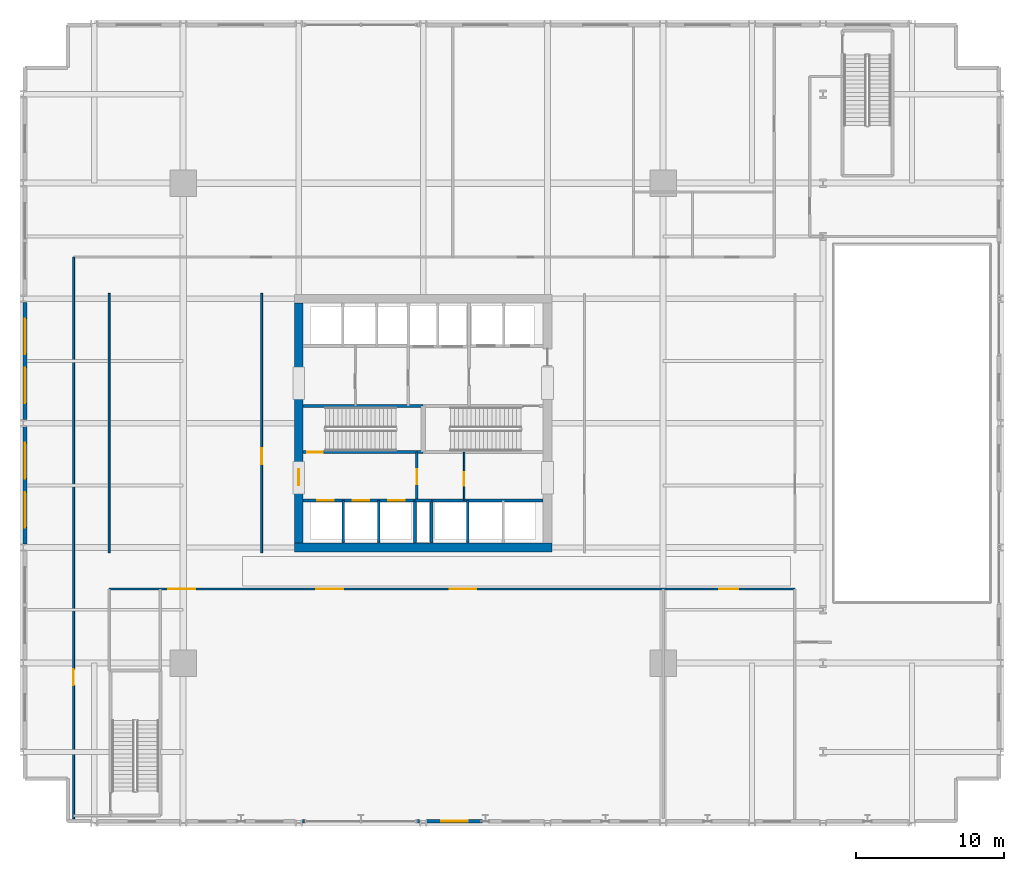
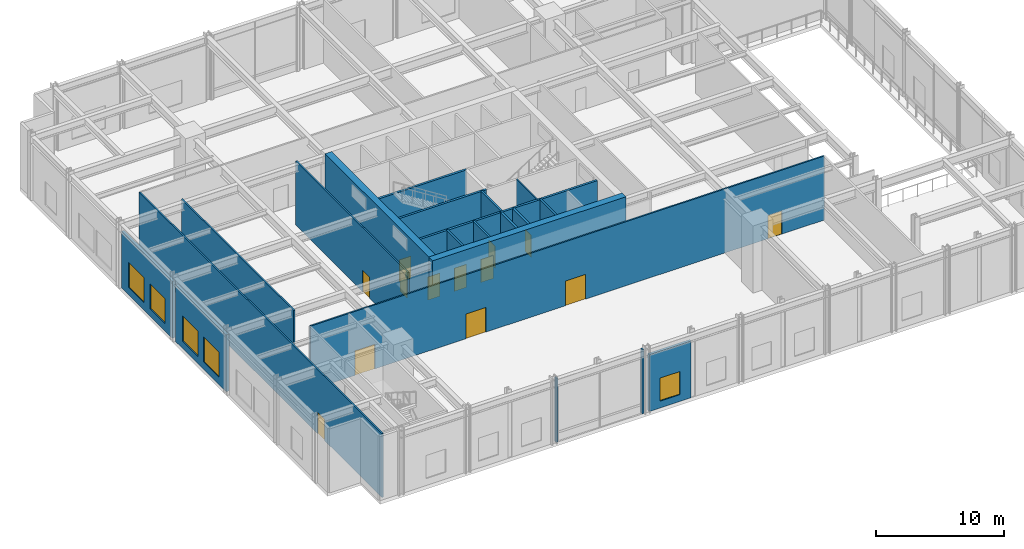
# One storey, part 11 of 20: 23 walls, 13 doors, 5 windows, 18 openings.
"""IFC4 building model written with IfcOpenShell, lengths in metres."""

import ifcopenshell
import ifcopenshell.guid

model = None  # the IFC model being written
_history = None  # IfcOwnerHistory: only IFC2X3 demands one
_inside = {}  # id of a spatial element -> (the spatial element, [elements in it])
_under = {}  # id of a project, library or spatial element -> (it, [spatial elements below it])
_declared = {}  # id of a project -> (the project, [libraries it declares])
_typed = {}  # id of a type object -> (the type object, [elements of that type])
_made_of = {}  # id of a material, layer set ... -> (it, [elements and type objects made of it])


def new_model(schema):
    """Start an empty IFC model of exactly this schema.

    Asked for "IFC4X3", IfcOpenShell would pick the latest addendum, in which some entities
    have other attributes; the version numbers below select the first issue.
    IFC2X3 requires an IfcOwnerHistory on every rooted entity: one is made here for all.
    """
    global model, _history
    if schema == "IFC4X3":
        model = ifcopenshell.file(schema_version=(4, 3, 0, 0))
    else:
        model = ifcopenshell.file(schema=schema)
    _inside.clear()
    _under.clear()
    _declared.clear()
    _typed.clear()
    _made_of.clear()
    _history = None
    if model.schema == "IFC2X3":
        org = make("IfcOrganization", Name="unknown")
        user = make(
            "IfcPersonAndOrganization",
            ThePerson=make("IfcPerson", FamilyName="unknown"),
            TheOrganization=org,
        )
        app = make(
            "IfcApplication",
            ApplicationDeveloper=org,
            Version="unknown",
            ApplicationFullName="unknown",
            ApplicationIdentifier="unknown",
        )
        _history = make(
            "IfcOwnerHistory",
            OwningUser=user,
            OwningApplication=app,
            ChangeAction="ADDED",
            CreationDate=0,
        )
    return model


def make(cls, **values):
    """One entity of the class cls with the attributes given. An attribute that is None is left unset."""
    return model.create_entity(
        cls, **{name: value for name, value in values.items() if value is not None}
    )


def rooted(cls, **values):
    """An entity with a GlobalId (a new one), such as an element, a storey or a relation."""
    return make(cls, GlobalId=ifcopenshell.guid.new(), OwnerHistory=_history, **values)


def si_unit(unit_type, name, prefix=None):
    """IfcSIUnit, for example si_unit("LENGTHUNIT", "METRE", prefix="MILLI")."""
    return make("IfcSIUnit", UnitType=unit_type, Prefix=prefix, Name=name)


def assignment(units):
    """IfcUnitAssignment: the units of a project."""
    return None if units is None else make("IfcUnitAssignment", Units=units)


def point(xyz):
    """IfcCartesianPoint."""
    return None if xyz is None else make("IfcCartesianPoint", Coordinates=xyz)


def direction(xyz):
    """IfcDirection."""
    return None if xyz is None else make("IfcDirection", DirectionRatios=xyz)


def frame(location, z_axis=None, x_axis=None):
    """IfcAxis2Placement3D, a coordinate frame: its origin and axes. An axis left out is left unset."""
    return make(
        "IfcAxis2Placement3D",
        Location=point(location),
        Axis=direction(z_axis),
        RefDirection=direction(x_axis),
    )


def frame_2d(location, x_axis=None):
    """IfcAxis2Placement2D, a coordinate frame in the plane: its origin and x axis."""
    return make(
        "IfcAxis2Placement2D", Location=point(location), RefDirection=direction(x_axis)
    )


def origin():
    """The frame at (0, 0, 0) with its axes left unset."""
    return frame((0.0, 0.0, 0.0))


def place(relative_to, where):
    """IfcLocalPlacement: puts the frame where relative to a parent placement (None: the world)."""
    return make(
        "IfcLocalPlacement", PlacementRelTo=relative_to, RelativePlacement=where
    )


def context(
    kind, dimensions, precision=None, world=None, true_north=None, identifier=None
):
    """IfcGeometricRepresentationContext, for example the 3D "Model" context."""
    return make(
        "IfcGeometricRepresentationContext",
        ContextIdentifier=identifier,
        ContextType=kind,
        CoordinateSpaceDimension=dimensions,
        Precision=precision,
        WorldCoordinateSystem=world,
        TrueNorth=true_north,
    )


def subcontext(parent, identifier, kind, view, scale=None):
    """IfcGeometricRepresentationSubContext, for example "Body" below "Model"."""
    return make(
        "IfcGeometricRepresentationSubContext",
        ContextIdentifier=identifier,
        ContextType=kind,
        ParentContext=parent,
        TargetScale=scale,
        TargetView=view,
    )


def project(units=None, contexts=None):
    """IfcProject with its units and contexts."""
    return rooted(
        "IfcProject",
        Name="project",
        RepresentationContexts=contexts,
        UnitsInContext=assignment(units),
    )


def spatial(cls, under=None, at=None, **own):
    """A site, building, storey or space (cls), placed at a placement, below another one or the project."""
    s = rooted(cls, ObjectPlacement=at, **own)
    if under is not None:
        _under.setdefault(under.id(), (under, []))[1].append(s)
    return s


def profile(cls, at=None, kind="AREA", **sizes):
    """A parametric profile (cls). Its sizes go by their IFC names, for example OverallWidth=200.0."""
    return make(cls, ProfileType=kind, Position=at, **sizes)


def rectangle(**sizes):
    """IfcRectangleProfileDef."""
    return profile("IfcRectangleProfileDef", **sizes)


def extrude(swept, where, along, depth):
    """IfcExtrudedAreaSolid: the profile swept, set in the frame where, extruded along a direction by depth."""
    return make(
        "IfcExtrudedAreaSolid",
        SweptArea=swept,
        Position=where,
        ExtrudedDirection=direction(along),
        Depth=depth,
    )


def shape(context_of_items, identifier, shape_type, items):
    """IfcShapeRepresentation: the items that make up one representation, for example the "Body"."""
    return make(
        "IfcShapeRepresentation",
        ContextOfItems=context_of_items,
        RepresentationIdentifier=identifier,
        RepresentationType=shape_type,
        Items=items,
    )


def material(Name=None, Category=None):
    """IfcMaterial."""
    return make("IfcMaterial", Name=Name, Category=Category)


def layer(
    of_material, thickness, ventilated=None, Name=None, Category=None, Priority=None
):
    """IfcMaterialLayer: one layer of a wall or slab, of a material (None: an air gap)."""
    return make(
        "IfcMaterialLayer",
        Material=of_material,
        LayerThickness=thickness,
        IsVentilated=ventilated,
        Name=Name,
        Category=Category,
        Priority=Priority,
    )


def layer_set(layers, Name=None):
    """IfcMaterialLayerSet."""
    return make("IfcMaterialLayerSet", MaterialLayers=layers, LayerSetName=Name)


def made_of(thing, what):
    """Note that an element or type object is made of a material, layer set ...; save() writes the relation."""
    if what is not None:
        _made_of.setdefault(what.id(), (what, []))[1].append(thing)
    return thing


def type_object(cls, material=None, **own):
    """A type object (cls), such as IfcWallType, which elements share."""
    return made_of(rooted(cls, **own), material)


def element(
    cls,
    number,
    at=None,
    inside=None,
    cuts=None,
    type_object=None,
    material=None,
    context=None,
    identifier="Body",
    shape_type=None,
    held_by="IfcProductDefinitionShape",
    body=None,
    shapes=None,
    **own,
):
    """One element of the class cls, such as IfcWall. Its Tag is "e" and its number.

    at: its placement. inside: the storey or other place that contains it. cuts: it is an
    opening in that element (IfcRelVoidsElement). A single representation is given by context,
    identifier, shape_type and body (its items); several are given by shapes. held_by: the class
    of the entity that holds the representations. save() writes the other relations.
    """
    e = rooted(cls, Tag="e%d" % number, ObjectPlacement=at, **own)
    if body is not None:
        shapes = [shape(context, identifier, shape_type, body)]
    if shapes is not None:
        e.Representation = make(held_by, Representations=shapes)
    if inside is not None:
        _inside.setdefault(inside.id(), (inside, []))[1].append(e)
    if cuts is not None:
        rooted(
            "IfcRelVoidsElement", RelatingBuildingElement=cuts, RelatedOpeningElement=e
        )
    if type_object is not None:
        _typed.setdefault(type_object.id(), (type_object, []))[1].append(e)
    return made_of(e, material)


def fill(opening, filler):
    """IfcRelFillsElement: the door or window that sits in an opening."""
    return rooted(
        "IfcRelFillsElement",
        RelatingOpeningElement=opening,
        RelatedBuildingElement=filler,
    )


def aggregate(whole, parts):
    """IfcRelAggregates: a whole, such as a stair, and the parts it consists of."""
    return rooted("IfcRelAggregates", RelatingObject=whole, RelatedObjects=parts)


def save(model, path):
    """Write the relations noted so far, then the file.

    IfcRelAggregates (storeys below a building ...), IfcRelContainedInSpatialStructure (elements
    in a storey), IfcRelDefinesByType, IfcRelAssociatesMaterial and IfcRelDeclares: one each for
    every whole, place, type object, material and project.
    """
    for whole, parts in _under.values():
        aggregate(whole, parts)
    for where, things in _inside.values():
        rooted(
            "IfcRelContainedInSpatialStructure",
            RelatedElements=things,
            RelatingStructure=where,
        )
    for kind, things in _typed.values():
        rooted("IfcRelDefinesByType", RelatedObjects=things, RelatingType=kind)
    for what, things in _made_of.values():
        rooted("IfcRelAssociatesMaterial", RelatedObjects=things, RelatingMaterial=what)
    for by, libraries in _declared.values():
        rooted("IfcRelDeclares", RelatingContext=by, RelatedDefinitions=libraries)
    model.write(path)


model = new_model("IFC4")

# Units and contexts
model_context = context("Model", 3, precision=1e-05, world=origin(), true_north=direction((0.0, 1.0)))
body_context = subcontext(model_context, "Body", "Model", "MODEL_VIEW")
ifc_project = project(units=[si_unit("LENGTHUNIT", "METRE"), si_unit("AREAUNIT", "SQUARE_METRE"), si_unit("VOLUMEUNIT", "CUBIC_METRE"), si_unit("PLANEANGLEUNIT", "RADIAN"), si_unit("MASSUNIT", "GRAM", prefix="KILO")], contexts=[model_context])

# Site, building, storey
site_placement = place(None, origin())
site = spatial("IfcSite", under=ifc_project, at=site_placement, CompositionType="ELEMENT")
building_placement = place(site_placement, origin())
building = spatial("IfcBuilding", under=site, at=building_placement, Name="Drelvath Grand Hotel", CompositionType="ELEMENT")
storey_placement = place(building_placement, frame((0.0, 0.0, 10.800048828125)))
storey = spatial("IfcBuildingStorey", under=building, at=storey_placement, Name="L02", CompositionType="ELEMENT", Elevation=10.800048828125)

# Wall, opening, door
ifc_material_1 = material(Name="Gypsum Partition Board")
ifc_layer_1 = layer(ifc_material_1, 0.10009765625)
ifc_layer_set_1 = layer_set([ifc_layer_1], Name="Gypsum Partition Board")
wall_type_1 = type_object("IfcWallType", Name="Core Closet Partition 100", PredefinedType="PARTITIONING", material=ifc_layer_set_1)
wall_1_placement = place(storey_placement, frame((2.760009765625, 21.780029296875, 0.0), z_axis=(0.0, 0.0, 1.0), x_axis=(0.0, 1.0, 0.0)))
wall_1 = element("IfcWall", 1, at=wall_1_placement, inside=storey, type_object=wall_type_1, Name="L02 Butler Pantry Wall", PredefinedType="PARTITIONING", context=body_context, shape_type="SweptSolid", body=[
    extrude(rectangle(XDim=3.260009765625, YDim=0.10009765625, at=frame_2d((1.6298828125, 0.0))), origin(), (0.0, 0.0, 1.0), 6.099853515625),
])
opening_1_placement = place(wall_1_placement, frame((1.0, 0.0, 0.0)))
opening_1 = element("IfcOpeningElement", 2, at=opening_1_placement, cuts=wall_1, Name="Opening D-L02-016", PredefinedType="OPENING", context=body_context, shape_type="SweptSolid", body=[
    extrude(rectangle(XDim=0.919921875, YDim=2.10009765625, at=frame_2d((0.4599609375, 1.050048828125))), frame((0.0, 0.06005859375, 0.0), z_axis=(0.0, -1.0, 0.0), x_axis=(1.0, 0.0, 0.0)), (0.0, 0.0, 1.0), 0.1201171875),
])
ifc_material_2 = material(Name="Painted Steel S275", Category="steel")
door_type_1 = type_object("IfcDoorType", Name="Staff Utility Door 920x2100", OperationType="NOTDEFINED", PredefinedType="DOOR", material=ifc_material_2)
door_1_placement = place(opening_1_placement, origin())
door_1 = element("IfcDoor", 3, at=door_1_placement, inside=storey, type_object=door_type_1, Name="L02 Butler Pantry Door", OperationType="SINGLE_SWING_LEFT", OverallHeight=2.10009765625, OverallWidth=0.919921875, PredefinedType="DOOR", context=body_context, shape_type="SweptSolid", body=[
    extrude(rectangle(XDim=0.919921875, YDim=2.10009765625, at=frame_2d((0.4599609375, 1.050048828125))), frame((0.0, 0.02490234375, 0.0), z_axis=(0.0, -1.0, 0.0), x_axis=(1.0, 0.0, 0.0)), (0.0, 0.0, 1.0), 0.050048828125),
])
fill(opening_1, door_1)

# Wall, openings, doors
ifc_material_3 = material(Name="Concrete C40/50", Category="concrete")
ifc_layer_2 = layer(ifc_material_3, 0.199951171875)
ifc_layer_set_2 = layer_set([ifc_layer_2], Name="Concrete C40/50")
wall_type_2 = type_object("IfcWallType", Name="Core Hoistway Fire Wall 200", PredefinedType="SOLIDWALL", material=ifc_layer_set_2)
wall_2_placement = place(storey_placement, frame((-0.550048828125, 21.780029296875, 0.0), z_axis=(0.0, 0.0, 1.0), x_axis=(-1.0, 0.0, 0.0)))
wall_2 = element("IfcWall", 4, at=wall_2_placement, inside=storey, type_object=wall_type_2, Name="L02 Bank 1 Hoistway Wall", PredefinedType="SOLIDWALL", context=body_context, shape_type="SweptSolid", body=[
    extrude(rectangle(XDim=7.550048828125, YDim=0.199951171875, at=frame_2d((3.77490234375, 0.0))), origin(), (0.0, 0.0, 1.0), 6.099853515625),
])
opening_2_placement = place(wall_2_placement, frame((5.5, 0.0, 0.0)))
opening_2 = element("IfcOpeningElement", 5, at=opening_2_placement, cuts=wall_2, Name="Opening LD-PE-1", PredefinedType="OPENING", context=body_context, shape_type="SweptSolid", body=[
    extrude(rectangle(XDim=1.10009765625, YDim=2.199951171875, at=frame_2d((0.550048828125, 1.10009765625))), frame((0.0, 0.10986328125, 0.0), z_axis=(0.0, -1.0, 0.0), x_axis=(1.0, 0.0, 0.0)), (0.0, 0.0, 1.0), 0.219970703125),
])
opening_3_placement = place(wall_2_placement, frame((3.10009765625, 0.0, 0.0)))
opening_3 = element("IfcOpeningElement", 6, at=opening_3_placement, cuts=wall_2, Name="Opening LD-PE-2", PredefinedType="OPENING", context=body_context, shape_type="SweptSolid", body=[
    extrude(rectangle(XDim=1.10009765625, YDim=2.199951171875, at=frame_2d((0.550048828125, 1.10009765625))), frame((0.0, 0.10986328125, 0.0), z_axis=(0.0, -1.0, 0.0), x_axis=(1.0, 0.0, 0.0)), (0.0, 0.0, 1.0), 0.219970703125),
])
opening_4_placement = place(wall_2_placement, frame((0.699951171875, 0.0, 0.0)))
opening_4 = element("IfcOpeningElement", 7, at=opening_4_placement, cuts=wall_2, Name="Opening LD-PE-3", PredefinedType="OPENING", context=body_context, shape_type="SweptSolid", body=[
    extrude(rectangle(XDim=1.10009765625, YDim=2.199951171875, at=frame_2d((0.550048828125, 1.10009765625))), frame((0.0, 0.10986328125, 0.0), z_axis=(0.0, -1.0, 0.0), x_axis=(1.0, 0.0, 0.0)), (0.0, 0.0, 1.0), 0.219970703125),
])
ifc_material_4 = material(Name="Stainless Steel S355", Category="steel")
door_type_2 = type_object("IfcDoorType", Name="Passenger Lift Sliding Landing Door 1100x2200", OperationType="NOTDEFINED", PredefinedType="DOOR", material=ifc_material_4)
door_2_placement = place(opening_2_placement, origin())
door_2 = element("IfcDoor", 8, at=door_2_placement, inside=storey, type_object=door_type_2, Name="L02 Lift PE-1 Landing Door", OperationType="SLIDING_TO_LEFT", OverallHeight=2.199951171875, OverallWidth=1.10009765625, PredefinedType="DOOR", context=body_context, shape_type="SweptSolid", body=[
    extrude(rectangle(XDim=1.10009765625, YDim=2.199951171875, at=frame_2d((0.550048828125, 1.10009765625))), frame((0.0, 0.02490234375, 0.0), z_axis=(0.0, -1.0, 0.0), x_axis=(1.0, 0.0, 0.0)), (0.0, 0.0, 1.0), 0.050048828125),
])
fill(opening_2, door_2)
door_3_placement = place(opening_3_placement, origin())
door_3 = element("IfcDoor", 9, at=door_3_placement, inside=storey, type_object=door_type_2, Name="L02 Lift PE-2 Landing Door", OperationType="SLIDING_TO_LEFT", OverallHeight=2.199951171875, OverallWidth=1.10009765625, PredefinedType="DOOR", context=body_context, shape_type="SweptSolid", body=[
    extrude(rectangle(XDim=1.10009765625, YDim=2.199951171875, at=frame_2d((0.550048828125, 1.10009765625))), frame((0.0, 0.02490234375, 0.0), z_axis=(0.0, -1.0, 0.0), x_axis=(1.0, 0.0, 0.0)), (0.0, 0.0, 1.0), 0.050048828125),
])
fill(opening_3, door_3)
door_4_placement = place(opening_4_placement, origin())
door_4 = element("IfcDoor", 10, at=door_4_placement, inside=storey, type_object=door_type_2, Name="L02 Lift PE-3 Landing Door", OperationType="SLIDING_TO_LEFT", OverallHeight=2.199951171875, OverallWidth=1.10009765625, PredefinedType="DOOR", context=body_context, shape_type="SweptSolid", body=[
    extrude(rectangle(XDim=1.10009765625, YDim=2.199951171875, at=frame_2d((0.550048828125, 1.10009765625))), frame((0.0, 0.02490234375, 0.0), z_axis=(0.0, -1.0, 0.0), x_axis=(1.0, 0.0, 0.0)), (0.0, 0.0, 1.0), 0.050048828125),
])
fill(opening_4, door_4)

# Walls
wall_3_placement = place(storey_placement, frame((-0.550048828125, 18.89990234375, 0.0), z_axis=(0.0, 0.0, 1.0), x_axis=(0.0, 1.0, 0.0)))
element("IfcWall", 11, at=wall_3_placement, inside=storey, type_object=wall_type_2, Name="L02 Bank 1 East Wall", PredefinedType="SOLIDWALL", context=body_context, shape_type="SweptSolid", body=[
    extrude(rectangle(XDim=2.880126953125, YDim=0.199951171875, at=frame_2d((1.43994140625, 0.0))), origin(), (0.0, 0.0, 1.0), 6.099853515625),
])
wall_4_placement = place(storey_placement, frame((8.10009765625, 21.780029296875, 0.0), z_axis=(0.0, 0.0, 1.0), x_axis=(-1.0, 0.0, 0.0)))
element("IfcWall", 12, at=wall_4_placement, inside=storey, type_object=wall_type_2, Name="L02 Bank 2 Hoistway Wall", PredefinedType="SOLIDWALL", context=body_context, shape_type="SweptSolid", body=[
    extrude(rectangle(XDim=7.550048828125, YDim=0.199951171875, at=frame_2d((3.77490234375, 0.0))), origin(), (0.0, 0.0, 1.0), 6.099853515625),
])
wall_5_placement = place(storey_placement, frame((0.550048828125, 18.89990234375, 0.0), z_axis=(0.0, 0.0, 1.0), x_axis=(0.0, 1.0, 0.0)))
element("IfcWall", 13, at=wall_5_placement, inside=storey, type_object=wall_type_2, Name="L02 Bank 2 West Wall", PredefinedType="SOLIDWALL", context=body_context, shape_type="SweptSolid", body=[
    extrude(rectangle(XDim=2.880126953125, YDim=0.199951171875, at=frame_2d((1.43994140625, 0.0))), origin(), (0.0, 0.0, 1.0), 6.099853515625),
])
wall_6_placement = place(storey_placement, frame((-0.550048828125, 21.780029296875, 0.0), z_axis=(0.0, 0.0, 1.0), x_axis=(1.0, 0.0, 0.0)))
element("IfcWall", 14, at=wall_6_placement, inside=storey, type_object=wall_type_2, Name="L02 Core Riser Wall", PredefinedType="SOLIDWALL", context=body_context, shape_type="SweptSolid", body=[
    extrude(rectangle(XDim=1.10009765625, YDim=0.199951171875, at=frame_2d((0.550048828125, 0.0))), origin(), (0.0, 0.0, 1.0), 6.099853515625),
])

# Wall, opening, door
ifc_layer_3 = layer(ifc_material_3, 0.199951171875)
ifc_layer_set_3 = layer_set([ifc_layer_3], Name="Concrete C40/50")
wall_type_3 = type_object("IfcWallType", Name="Core Shaft Fire Wall 200", PredefinedType="SOLIDWALL", material=ifc_layer_set_3)
wall_7_placement = place(storey_placement, frame((-8.10009765625, 25.0400390625, 0.0), z_axis=(0.0, 0.0, 1.0), x_axis=(1.0, 0.0, 0.0)))
wall_7 = element("IfcWall", 15, at=wall_7_placement, inside=storey, type_object=wall_type_3, Name="L02 Stair ST-1 South Wall", PredefinedType="SOLIDWALL", context=body_context, shape_type="SweptSolid", body=[
    extrude(rectangle(XDim=8.10009765625, YDim=0.199951171875, at=frame_2d((4.050048828125, 0.0))), origin(), (0.0, 0.0, 1.0), 6.099853515625),
])
opening_5_placement = place(wall_7_placement, frame((0.280029296875, 0.0, 0.0)))
opening_5 = element("IfcOpeningElement", 16, at=opening_5_placement, cuts=wall_7, Name="Opening D-L02-001", PredefinedType="OPENING", context=body_context, shape_type="SweptSolid", body=[
    extrude(rectangle(XDim=1.050048828125, YDim=2.10009765625, at=frame_2d((0.52490234375, 1.050048828125))), frame((0.0, 0.10986328125, 0.0), z_axis=(0.0, -1.0, 0.0), x_axis=(1.0, 0.0, 0.0)), (0.0, 0.0, 1.0), 0.219970703125),
])
door_type_3 = type_object("IfcDoorType", Name="Tower Stairwell Fire Door 1050x2100", OperationType="NOTDEFINED", PredefinedType="DOOR", material=ifc_material_2)
door_5_placement = place(opening_5_placement, origin())
door_5 = element("IfcDoor", 17, at=door_5_placement, inside=storey, type_object=door_type_3, Name="L02 Exit Stair ST-1 Door", OperationType="SINGLE_SWING_LEFT", OverallHeight=2.10009765625, OverallWidth=1.050048828125, PredefinedType="DOOR", context=body_context, shape_type="SweptSolid", body=[
    extrude(rectangle(XDim=1.050048828125, YDim=2.10009765625, at=frame_2d((0.52490234375, 1.050048828125))), frame((0.0, 0.02490234375, 0.0), z_axis=(0.0, -1.0, 0.0), x_axis=(1.0, 0.0, 0.0)), (0.0, 0.0, 1.0), 0.050048828125),
])
fill(opening_5, door_5)

# Walls
wall_8_placement = place(storey_placement, frame((-8.10009765625, 28.159912109375, 0.0), z_axis=(0.0, 0.0, 1.0), x_axis=(1.0, 0.0, 0.0)))
element("IfcWall", 18, at=wall_8_placement, inside=storey, type_object=wall_type_3, Name="L02 Stair ST-1 North Wall", PredefinedType="SOLIDWALL", context=body_context, shape_type="SweptSolid", body=[
    extrude(rectangle(XDim=8.10009765625, YDim=0.199951171875, at=frame_2d((4.050048828125, 0.0))), origin(), (0.0, 0.0, 1.0), 6.099853515625),
])
ifc_material_5 = material(Name="Gypsum Fireboard Partition")
ifc_layer_4 = layer(ifc_material_5, 0.1650390625)
ifc_layer_set_4 = layer_set([ifc_layer_4], Name="Gypsum Fireboard Partition")
wall_type_4 = type_object("IfcWallType", Name="Core Shaft Partition 165", PredefinedType="PARTITIONING", material=ifc_layer_set_4)
for number, where, z_axis, x_axis, name in (
    (19, (-5.39990234375, 18.89990234375, 0.0), (0.0, 0.0, 1.0), (0.0, 1.0, 0.0), "L02 Lift PE-1/2 Divider"),
    (20, (-3.0, 18.89990234375, 0.0), (0.0, 0.0, 1.0), (0.0, 1.0, 0.0), "L02 Lift PE-2/3 Divider"),
    (21, (3.0, 18.89990234375, 0.0), (0.0, 0.0, 1.0), (0.0, 1.0, 0.0), "L02 Lift PE-4/5 Divider"),
):
    element("IfcWall", number, at=place(storey_placement, frame(where, z_axis=z_axis, x_axis=x_axis)), inside=storey, type_object=wall_type_4, Name=name, PredefinedType="PARTITIONING", context=body_context, shape_type="SweptSolid", body=[
        extrude(rectangle(XDim=2.880126953125, YDim=0.1650390625, at=frame_2d((1.43994140625, 0.0))), origin(), (0.0, 0.0, 1.0), 6.099853515625),
    ])

# Wall, openings, doors
ifc_layer_5 = layer(ifc_material_5, 0.135009765625)
ifc_layer_set_5 = layer_set([ifc_layer_5], Name="Gypsum Fireboard Partition")
wall_type_5 = type_object("IfcWallType", Name="Corridor Fire Barrier Wall 135", PredefinedType="PARTITIONING", material=ifc_layer_set_5)
wall_9_placement = place(storey_placement, frame((-21.199951171875, 15.800048828125, 0.0), z_axis=(0.0, 0.0, 1.0), x_axis=(1.0, 0.0, 0.0)))
wall_9 = element("IfcWall", 22, at=wall_9_placement, inside=storey, type_object=wall_type_5, Name="L02 South Gallery Wall", PredefinedType="PARTITIONING", context=body_context, shape_type="SweptSolid", body=[
    extrude(rectangle(XDim=46.300048828125, YDim=0.135009765625, at=frame_2d((23.14990234375, 0.0))), origin(), (0.0, 0.0, 1.0), 6.099853515625),
])
opening_6_placement = place(wall_9_placement, frame((4.0, 0.0, 0.0)))
opening_6 = element("IfcOpeningElement", 23, at=opening_6_placement, cuts=wall_9, Name="Opening D-L02-024", PredefinedType="OPENING", context=body_context, shape_type="SweptSolid", body=[
    extrude(rectangle(XDim=1.800048828125, YDim=2.35009765625, at=frame_2d((0.89990234375, 1.175048828125))), frame((0.0, 0.077392578125, 0.0), z_axis=(0.0, -1.0, 0.0), x_axis=(1.0, 0.0, 0.0)), (0.0, 0.0, 1.0), 0.155029296875),
])
opening_7_placement = place(wall_9_placement, frame((14.0, 0.0, 0.0)))
opening_7 = element("IfcOpeningElement", 24, at=opening_7_placement, cuts=wall_9, Name="Opening D-L02-025", PredefinedType="OPENING", context=body_context, shape_type="SweptSolid", body=[
    extrude(rectangle(XDim=1.800048828125, YDim=2.35009765625, at=frame_2d((0.89990234375, 1.175048828125))), frame((0.0, 0.077392578125, 0.0), z_axis=(0.0, -1.0, 0.0), x_axis=(1.0, 0.0, 0.0)), (0.0, 0.0, 1.0), 0.155029296875),
])
opening_8_placement = place(wall_9_placement, frame((23.0, 0.0, 0.0)))
opening_8 = element("IfcOpeningElement", 25, at=opening_8_placement, cuts=wall_9, Name="Opening D-L02-026", PredefinedType="OPENING", context=body_context, shape_type="SweptSolid", body=[
    extrude(rectangle(XDim=1.800048828125, YDim=2.35009765625, at=frame_2d((0.89990234375, 1.175048828125))), frame((0.0, 0.077392578125, 0.0), z_axis=(0.0, -1.0, 0.0), x_axis=(1.0, 0.0, 0.0)), (0.0, 0.0, 1.0), 0.155029296875),
])
opening_9_placement = place(wall_9_placement, frame((41.199951171875, 0.0, 0.0)))
opening_9 = element("IfcOpeningElement", 26, at=opening_9_placement, cuts=wall_9, Name="Opening D-L02-027", PredefinedType="OPENING", context=body_context, shape_type="SweptSolid", body=[
    extrude(rectangle(XDim=1.260009765625, YDim=2.199951171875, at=frame_2d((0.6298828125, 1.10009765625))), frame((0.0, 0.077392578125, 0.0), z_axis=(0.0, -1.0, 0.0), x_axis=(1.0, 0.0, 0.0)), (0.0, 0.0, 1.0), 0.155029296875),
])
ifc_material_6 = material(Name="Hardwood Bronze-Clad Timber", Category="wood")
door_type_4 = type_object("IfcDoorType", Name="Assembly Double Fire Door 1800x2350", OperationType="NOTDEFINED", PredefinedType="DOOR", material=ifc_material_6)
door_6_placement = place(opening_6_placement, origin())
door_6 = element("IfcDoor", 27, at=door_6_placement, inside=storey, type_object=door_type_4, Name="L02 Grand Ballroom West Door", OperationType="DOUBLE_DOOR_SINGLE_SWING", OverallHeight=2.35009765625, OverallWidth=1.800048828125, PredefinedType="DOOR", context=body_context, shape_type="SweptSolid", body=[
    extrude(rectangle(XDim=1.800048828125, YDim=2.35009765625, at=frame_2d((0.89990234375, 1.175048828125))), frame((0.0, 0.02490234375, 0.0), z_axis=(0.0, -1.0, 0.0), x_axis=(1.0, 0.0, 0.0)), (0.0, 0.0, 1.0), 0.050048828125),
])
fill(opening_6, door_6)
door_7_placement = place(opening_7_placement, origin())
door_7 = element("IfcDoor", 28, at=door_7_placement, inside=storey, type_object=door_type_4, Name="L02 Grand Ballroom Center Door", OperationType="DOUBLE_DOOR_SINGLE_SWING", OverallHeight=2.35009765625, OverallWidth=1.800048828125, PredefinedType="DOOR", context=body_context, shape_type="SweptSolid", body=[
    extrude(rectangle(XDim=1.800048828125, YDim=2.35009765625, at=frame_2d((0.89990234375, 1.175048828125))), frame((0.0, 0.02490234375, 0.0), z_axis=(0.0, -1.0, 0.0), x_axis=(1.0, 0.0, 0.0)), (0.0, 0.0, 1.0), 0.050048828125),
])
fill(opening_7, door_7)
door_8_placement = place(opening_8_placement, origin())
door_8 = element("IfcDoor", 29, at=door_8_placement, inside=storey, type_object=door_type_4, Name="L02 Grand Ballroom East Door", OperationType="DOUBLE_DOOR_SINGLE_SWING", OverallHeight=2.35009765625, OverallWidth=1.800048828125, PredefinedType="DOOR", context=body_context, shape_type="SweptSolid", body=[
    extrude(rectangle(XDim=1.800048828125, YDim=2.35009765625, at=frame_2d((0.89990234375, 1.175048828125))), frame((0.0, 0.02490234375, 0.0), z_axis=(0.0, -1.0, 0.0), x_axis=(1.0, 0.0, 0.0)), (0.0, 0.0, 1.0), 0.050048828125),
])
fill(opening_8, door_8)
ifc_material_7 = material(Name="Hardwood Walnut Timber", Category="wood")
door_type_5 = type_object("IfcDoorType", Name="Suite Entrance Fire Door 1260x2200", OperationType="NOTDEFINED", PredefinedType="DOOR", material=ifc_material_7)
door_9_placement = place(opening_9_placement, origin())
door_9 = element("IfcDoor", 30, at=door_9_placement, inside=storey, type_object=door_type_5, Name="L02 Pre-Function Lounge Door", OperationType="SINGLE_SWING_LEFT", OverallHeight=2.199951171875, OverallWidth=1.260009765625, PredefinedType="DOOR", context=body_context, shape_type="SweptSolid", body=[
    extrude(rectangle(XDim=1.260009765625, YDim=2.199951171875, at=frame_2d((0.6298828125, 1.10009765625))), frame((0.0, 0.02490234375, 0.0), z_axis=(0.0, -1.0, 0.0), x_axis=(1.0, 0.0, 0.0)), (0.0, 0.0, 1.0), 0.050048828125),
])
fill(opening_9, door_9)

# Wall, opening, door
wall_10_placement = place(storey_placement, frame((-10.89990234375, 18.239990234375, 0.0), z_axis=(0.0, 0.0, 1.0), x_axis=(0.0, 1.0, 0.0)))
wall_10 = element("IfcWall", 31, at=wall_10_placement, inside=storey, type_object=wall_type_5, Name="L02 West Gallery Wall", PredefinedType="PARTITIONING", context=body_context, shape_type="SweptSolid", body=[
    extrude(rectangle(XDim=17.52001953125, YDim=0.135009765625, at=frame_2d((8.760009765625, 0.0))), origin(), (0.0, 0.0, 1.0), 6.099853515625),
])
opening_10_placement = place(wall_10_placement, frame((6.0, 0.0, 0.0)))
opening_10 = element("IfcOpeningElement", 32, at=opening_10_placement, cuts=wall_10, Name="Opening D-L02-031", PredefinedType="OPENING", context=body_context, shape_type="SweptSolid", body=[
    extrude(rectangle(XDim=1.080078125, YDim=2.0400390625, at=frame_2d((0.5400390625, 1.02001953125))), frame((0.0, 0.077392578125, 0.0), z_axis=(0.0, -1.0, 0.0), x_axis=(1.0, 0.0, 0.0)), (0.0, 0.0, 1.0), 0.155029296875),
])
door_type_6 = type_object("IfcDoorType", Name="Core Corridor Fire Door 1080x2100", OperationType="NOTDEFINED", PredefinedType="DOOR", material=ifc_material_2)
door_10_placement = place(opening_10_placement, origin())
door_10 = element("IfcDoor", 33, at=door_10_placement, inside=storey, type_object=door_type_6, Name="L02 Center-West Room Door", OperationType="SINGLE_SWING_LEFT", OverallHeight=2.0400390625, OverallWidth=1.080078125, PredefinedType="DOOR", context=body_context, shape_type="SweptSolid", body=[
    extrude(rectangle(XDim=1.080078125, YDim=2.0400390625, at=frame_2d((0.5400390625, 1.02001953125))), frame((0.0, 0.02490234375, 0.0), z_axis=(0.0, -1.0, 0.0), x_axis=(1.0, 0.0, 0.0)), (0.0, 0.0, 1.0), 0.050048828125),
])
fill(opening_10, door_10)

# Wall
wall_11_placement = place(storey_placement, frame((-21.199951171875, 18.239990234375, 0.0), z_axis=(0.0, 0.0, 1.0), x_axis=(0.0, 1.0, 0.0)))
element("IfcWall", 34, at=wall_11_placement, inside=storey, type_object=wall_type_5, Name="L02 ST-3 Spur North-East Wall", PredefinedType="PARTITIONING", context=body_context, shape_type="SweptSolid", body=[
    extrude(rectangle(XDim=17.52001953125, YDim=0.135009765625, at=frame_2d((8.760009765625, 0.0))), origin(), (0.0, 0.0, 1.0), 6.099853515625),
])

# Wall, opening, door
wall_12_placement = place(storey_placement, frame((-23.60009765625, 0.300048828125, 0.0), z_axis=(0.0, 0.0, 1.0), x_axis=(0.0, 1.0, 0.0)))
wall_12 = element("IfcWall", 35, at=wall_12_placement, inside=storey, type_object=wall_type_5, Name="L02 West Wing Corridor Wall", PredefinedType="PARTITIONING", context=body_context, shape_type="SweptSolid", body=[
    extrude(rectangle(XDim=37.89990234375, YDim=0.135009765625, at=frame_2d((18.949951171875, 0.0))), origin(), (0.0, 0.0, 1.0), 6.099853515625),
])
opening_11_placement = place(wall_12_placement, frame((9.0, 0.0, 0.0)))
opening_11 = element("IfcOpeningElement", 36, at=opening_11_placement, cuts=wall_12, Name="Opening D-L02-030", PredefinedType="OPENING", context=body_context, shape_type="SweptSolid", body=[
    extrude(rectangle(XDim=1.080078125, YDim=2.0400390625, at=frame_2d((0.5400390625, 1.02001953125))), frame((0.0, 0.077392578125, 0.0), z_axis=(0.0, -1.0, 0.0), x_axis=(1.0, 0.0, 0.0)), (0.0, 0.0, 1.0), 0.155029296875),
])
door_11_placement = place(opening_11_placement, origin())
door_11 = element("IfcDoor", 37, at=door_11_placement, inside=storey, type_object=door_type_6, Name="L02 West Wing South Door", OperationType="SINGLE_SWING_RIGHT", OverallHeight=2.0400390625, OverallWidth=1.080078125, PredefinedType="DOOR", context=body_context, shape_type="SweptSolid", body=[
    extrude(rectangle(XDim=1.080078125, YDim=2.0400390625, at=frame_2d((0.5400390625, 1.02001953125))), frame((0.0, 0.02490234375, 0.0), z_axis=(0.0, -1.0, 0.0), x_axis=(1.0, 0.0, 0.0)), (0.0, 0.0, 1.0), 0.050048828125),
])
fill(opening_11, door_11)

ifc_layer_6 = layer(ifc_material_5, 0.179931640625)
ifc_layer_set_6 = layer_set([ifc_layer_6], Name="Gypsum Fireboard Partition")
wall_type_6 = type_object("IfcWallType", Name="FSAE Smoke Lobby Fire Wall 180", PredefinedType="SOLIDWALL", material=ifc_layer_set_6)
wall_13_placement = place(storey_placement, frame((-0.419921875, 21.780029296875, 0.0), z_axis=(0.0, 0.0, 1.0), x_axis=(0.0, 1.0, 0.0)))
wall_13 = element("IfcWall", 38, at=wall_13_placement, inside=storey, type_object=wall_type_6, Name="L02 Low-Rise Lobby East Wall", PredefinedType="SOLIDWALL", context=body_context, shape_type="SweptSolid", body=[
    extrude(rectangle(XDim=3.260009765625, YDim=0.179931640625, at=frame_2d((1.6298828125, 0.0))), origin(), (0.0, 0.0, 1.0), 6.099853515625),
])
opening_12_placement = place(wall_13_placement, frame((1.10009765625, 0.0, 0.0)))
opening_12 = element("IfcOpeningElement", 39, at=opening_12_placement, cuts=wall_13, Name="Opening D-L02-014", PredefinedType="OPENING", context=body_context, shape_type="SweptSolid", body=[
    extrude(rectangle(XDim=1.0, YDim=2.10009765625, at=frame_2d((0.5, 1.050048828125))), frame((0.0, 0.099853515625, 0.0), z_axis=(0.0, -1.0, 0.0), x_axis=(1.0, 0.0, 0.0)), (0.0, 0.0, 1.0), 0.199951171875),
])
door_type_7 = type_object("IfcDoorType", Name="Core Service Fire Door 1000x2100", OperationType="NOTDEFINED", PredefinedType="DOOR", material=ifc_material_2)
door_12_placement = place(opening_12_placement, origin())
door_12 = element("IfcDoor", 40, at=door_12_placement, inside=storey, type_object=door_type_7, Name="L02 Housekeeping Entry Door", OperationType="SINGLE_SWING_LEFT", OverallHeight=2.10009765625, OverallWidth=1.0, PredefinedType="DOOR", context=body_context, shape_type="SweptSolid", body=[
    extrude(rectangle(XDim=1.0, YDim=2.10009765625, at=frame_2d((0.5, 1.050048828125))), frame((0.0, 0.02490234375, 0.0), z_axis=(0.0, -1.0, 0.0), x_axis=(1.0, 0.0, 0.0)), (0.0, 0.0, 1.0), 0.050048828125),
])
fill(opening_12, door_12)

# Wall
ifc_material_8 = material(Name="Concrete f'c 70 MPa", Category="concrete")
ifc_layer_7 = layer(ifc_material_8, 0.60009765625)
ifc_layer_set_7 = layer_set([ifc_layer_7], Name="Concrete f'c 70 MPa")
wall_type_7 = type_object("IfcWallType", Name="Lower Core RC Shear Wall 600", PredefinedType="SHEAR", material=ifc_layer_set_7)
wall_14_placement = place(storey_placement, frame((8.699951171875, 18.60009765625, 0.0), z_axis=(0.0, 0.0, 1.0), x_axis=(-1.0, 0.0, 0.0)))
element("IfcWall", 41, at=wall_14_placement, inside=storey, type_object=wall_type_7, Name="L02 Central Core Shear Wall S", PredefinedType="SHEAR", context=body_context, shape_type="SweptSolid", body=[
    extrude(rectangle(XDim=17.39990234375, YDim=0.60009765625, at=frame_2d((8.699951171875, 0.0))), origin(), (0.0, 0.0, 1.0), 6.39990234375),
])

# Wall, opening, door
wall_15_placement = place(storey_placement, frame((-8.39990234375, 18.89990234375, 0.0), z_axis=(0.0, 0.0, 1.0), x_axis=(0.0, 1.0, 0.0)))
wall_15 = element("IfcWall", 42, at=wall_15_placement, inside=storey, type_object=wall_type_7, Name="L02 Central Core Shear Wall W", PredefinedType="SHEAR", context=body_context, shape_type="SweptSolid", body=[
    extrude(rectangle(XDim=16.2001953125, YDim=0.60009765625, at=frame_2d((8.10009765625, 0.0))), origin(), (0.0, 0.0, 1.0), 6.39990234375),
])
opening_13_placement = place(wall_15_placement, frame((3.89990234375, 0.0, 0.0)))
opening_13 = element("IfcOpeningElement", 43, at=opening_13_placement, cuts=wall_15, Name="Opening D-L02-015", PredefinedType="OPENING", context=body_context, shape_type="SweptSolid", body=[
    extrude(rectangle(XDim=1.080078125, YDim=2.0400390625, at=frame_2d((0.5400390625, 1.02001953125))), frame((0.0, 0.31005859375, 0.0), z_axis=(0.0, -1.0, 0.0), x_axis=(1.0, 0.0, 0.0)), (0.0, 0.0, 1.0), 0.6201171875),
])
door_13_placement = place(opening_13_placement, origin())
door_13 = element("IfcDoor", 44, at=door_13_placement, inside=storey, type_object=door_type_6, Name="L02 Low-Rise Lobby West Door", OperationType="SINGLE_SWING_RIGHT", OverallHeight=2.0400390625, OverallWidth=1.080078125, PredefinedType="DOOR", context=body_context, shape_type="SweptSolid", body=[
    extrude(rectangle(XDim=1.080078125, YDim=2.0400390625, at=frame_2d((0.5400390625, 1.02001953125))), frame((0.0, 0.02490234375, 0.0), z_axis=(0.0, -1.0, 0.0), x_axis=(1.0, 0.0, 0.0)), (0.0, 0.0, 1.0), 0.050048828125),
])
fill(opening_13, door_13)

# Wall, openings, windows
ifc_material_9 = material(Name="Insulated Granite Rainscreen Assembly", Category="masonry")
ifc_layer_8 = layer(ifc_material_9, 0.239990234375)
ifc_layer_set_8 = layer_set([ifc_layer_8], Name="Insulated Granite Rainscreen Assembly")
wall_type_8 = type_object("IfcWallType", Name="Podium Granite Rainscreen Exterior Wall 240", PredefinedType="STANDARD", material=ifc_layer_set_8)
wall_16_placement = place(storey_placement, frame((-26.8798828125, 18.8408203125, 0.0), z_axis=(0.0, 0.0, 1.0), x_axis=(0.0, 1.0, 0.0)))
wall_16 = element("IfcWall", 45, at=wall_16_placement, inside=storey, type_object=wall_type_8, Name="L02 West Podium Granite Wall 4", PredefinedType="STANDARD", context=body_context, shape_type="SweptSolid", body=[
    extrude(rectangle(XDim=7.918212890625, YDim=0.239990234375, at=frame_2d((3.958984375, 0.0))), origin(), (0.0, 0.0, 1.0), 5.404296875),
])
opening_14_placement = place(wall_16_placement, frame((1.10009765625, 0.0, 0.699951171875)))
opening_14 = element("IfcOpeningElement", 46, at=opening_14_placement, cuts=wall_16, Name="Opening W-01", PredefinedType="OPENING", context=body_context, shape_type="SweptSolid", body=[
    extrude(rectangle(XDim=2.39990234375, YDim=2.39990234375, at=frame_2d((1.199951171875, 1.199951171875))), frame((0.0, 0.1298828125, 0.0), z_axis=(0.0, -1.0, 0.0), x_axis=(1.0, 0.0, 0.0)), (0.0, 0.0, 1.0), 0.260009765625),
])
opening_15_placement = place(wall_16_placement, frame((4.418212890625, 0.0, 0.699951171875)))
opening_15 = element("IfcOpeningElement", 47, at=opening_15_placement, cuts=wall_16, Name="Opening W-01", PredefinedType="OPENING", context=body_context, shape_type="SweptSolid", body=[
    extrude(rectangle(XDim=2.39990234375, YDim=2.39990234375, at=frame_2d((1.199951171875, 1.199951171875))), frame((0.0, 0.1298828125, 0.0), z_axis=(0.0, -1.0, 0.0), x_axis=(1.0, 0.0, 0.0)), (0.0, 0.0, 1.0), 0.260009765625),
])
ifc_material_10 = material(Name="Bronze Anodised Low-E Triple Glazing", Category="glass")
window_type_1 = type_object("IfcWindowType", Name="Chicago Triple-Pane Podium Window 2400x2600", PartitioningType="TRIPLE_PANEL_VERTICAL", PredefinedType="WINDOW", material=ifc_material_10)
window_1_placement = place(opening_14_placement, origin())
window_1 = element("IfcWindow", 48, at=window_1_placement, inside=storey, type_object=window_type_1, Name="L02 West Podium Window 4-1", OverallHeight=2.39990234375, OverallWidth=2.39990234375, PartitioningType="SINGLE_PANEL", PredefinedType="WINDOW", context=body_context, shape_type="SweptSolid", body=[
    extrude(rectangle(XDim=2.39990234375, YDim=2.39990234375, at=frame_2d((1.199951171875, 1.199951171875))), frame((0.0, 0.030029296875, 0.0), z_axis=(0.0, -1.0, 0.0), x_axis=(1.0, 0.0, 0.0)), (0.0, 0.0, 1.0), 0.06005859375),
])
fill(opening_14, window_1)
window_2_placement = place(opening_15_placement, origin())
window_2 = element("IfcWindow", 49, at=window_2_placement, inside=storey, type_object=window_type_1, Name="L02 West Podium Window 4-2", OverallHeight=2.39990234375, OverallWidth=2.39990234375, PartitioningType="SINGLE_PANEL", PredefinedType="WINDOW", context=body_context, shape_type="SweptSolid", body=[
    extrude(rectangle(XDim=2.39990234375, YDim=2.39990234375, at=frame_2d((1.199951171875, 1.199951171875))), frame((0.0, 0.030029296875, 0.0), z_axis=(0.0, -1.0, 0.0), x_axis=(1.0, 0.0, 0.0)), (0.0, 0.0, 1.0), 0.06005859375),
])
fill(opening_15, window_2)

wall_17_placement = place(storey_placement, frame((-26.8798828125, 27.240966796875, 0.0), z_axis=(0.0, 0.0, 1.0), x_axis=(0.0, 1.0, 0.0)))
wall_17 = element("IfcWall", 50, at=wall_17_placement, inside=storey, type_object=wall_type_8, Name="L02 West Podium Granite Wall 5", PredefinedType="STANDARD", context=body_context, shape_type="SweptSolid", body=[
    extrude(rectangle(XDim=7.918212890625, YDim=0.239990234375, at=frame_2d((3.958984375, 0.0))), origin(), (0.0, 0.0, 1.0), 5.404296875),
])
opening_16_placement = place(wall_17_placement, frame((1.10009765625, 0.0, 0.699951171875)))
opening_16 = element("IfcOpeningElement", 51, at=opening_16_placement, cuts=wall_17, Name="Opening W-01", PredefinedType="OPENING", context=body_context, shape_type="SweptSolid", body=[
    extrude(rectangle(XDim=2.39990234375, YDim=2.39990234375, at=frame_2d((1.199951171875, 1.199951171875))), frame((0.0, 0.1298828125, 0.0), z_axis=(0.0, -1.0, 0.0), x_axis=(1.0, 0.0, 0.0)), (0.0, 0.0, 1.0), 0.260009765625),
])
opening_17_placement = place(wall_17_placement, frame((4.418212890625, 0.0, 0.699951171875)))
opening_17 = element("IfcOpeningElement", 52, at=opening_17_placement, cuts=wall_17, Name="Opening W-01", PredefinedType="OPENING", context=body_context, shape_type="SweptSolid", body=[
    extrude(rectangle(XDim=2.39990234375, YDim=2.39990234375, at=frame_2d((1.199951171875, 1.199951171875))), frame((0.0, 0.1298828125, 0.0), z_axis=(0.0, -1.0, 0.0), x_axis=(1.0, 0.0, 0.0)), (0.0, 0.0, 1.0), 0.260009765625),
])
window_3_placement = place(opening_16_placement, origin())
window_3 = element("IfcWindow", 53, at=window_3_placement, inside=storey, type_object=window_type_1, Name="L02 West Podium Window 5-1", OverallHeight=2.39990234375, OverallWidth=2.39990234375, PartitioningType="SINGLE_PANEL", PredefinedType="WINDOW", context=body_context, shape_type="SweptSolid", body=[
    extrude(rectangle(XDim=2.39990234375, YDim=2.39990234375, at=frame_2d((1.199951171875, 1.199951171875))), frame((0.0, 0.030029296875, 0.0), z_axis=(0.0, -1.0, 0.0), x_axis=(1.0, 0.0, 0.0)), (0.0, 0.0, 1.0), 0.06005859375),
])
fill(opening_16, window_3)
window_4_placement = place(opening_17_placement, origin())
window_4 = element("IfcWindow", 54, at=window_4_placement, inside=storey, type_object=window_type_1, Name="L02 West Podium Window 5-2", OverallHeight=2.39990234375, OverallWidth=2.39990234375, PartitioningType="SINGLE_PANEL", PredefinedType="WINDOW", context=body_context, shape_type="SweptSolid", body=[
    extrude(rectangle(XDim=2.39990234375, YDim=2.39990234375, at=frame_2d((1.199951171875, 1.199951171875))), frame((0.0, 0.030029296875, 0.0), z_axis=(0.0, -1.0, 0.0), x_axis=(1.0, 0.0, 0.0)), (0.0, 0.0, 1.0), 0.06005859375),
])
fill(opening_17, window_4)

# Walls
wall_18_placement = place(storey_placement, frame((-8.0, 0.1201171875, 0.0), z_axis=(0.0, 0.0, 1.0), x_axis=(-1.0, 0.0, 0.0)))
element("IfcWall", 55, at=wall_18_placement, inside=storey, type_object=wall_type_8, Name="L02 South Podium Granite Wall 5", PredefinedType="STANDARD", context=body_context, shape_type="SweptSolid", body=[
    extrude(rectangle(XDim=0.1591796875, YDim=0.239990234375, at=frame_2d((0.07958984375, 0.0))), origin(), (0.0, 0.0, 1.0), 6.099853515625),
])
wall_19_placement = place(storey_placement, frame((-0.240966796875, 0.1201171875, 0.0), z_axis=(0.0, 0.0, 1.0), x_axis=(-1.0, 0.0, 0.0)))
element("IfcWall", 56, at=wall_19_placement, inside=storey, type_object=wall_type_8, Name="L02 South Podium Granite Wall 6", PredefinedType="STANDARD", context=body_context, shape_type="SweptSolid", body=[
    extrude(rectangle(XDim=0.158935546875, YDim=0.239990234375, at=frame_2d((0.07958984375, 0.0))), origin(), (0.0, 0.0, 1.0), 6.099853515625),
])

# Wall, opening, window
wall_20_placement = place(storey_placement, frame((4.00732421875, 0.1201171875, 0.0), z_axis=(0.0, 0.0, 1.0), x_axis=(-1.0, 0.0, 0.0)))
wall_20 = element("IfcWall", 57, at=wall_20_placement, inside=storey, type_object=wall_type_8, Name="L02 South Podium Granite Wall 7", PredefinedType="STANDARD", context=body_context, shape_type="SweptSolid", body=[
    extrude(rectangle(XDim=3.766357421875, YDim=0.239990234375, at=frame_2d((1.88330078125, 0.0))), origin(), (0.0, 0.0, 1.0), 5.404296875),
])
opening_18_placement = place(wall_20_placement, frame((0.983154296875, 0.0, 0.64990234375)))
opening_18 = element("IfcOpeningElement", 58, at=opening_18_placement, cuts=wall_20, Name="Opening W-02", PredefinedType="OPENING", context=body_context, shape_type="SweptSolid", body=[
    extrude(rectangle(XDim=1.800048828125, YDim=2.199951171875, at=frame_2d((0.89990234375, 1.10009765625))), frame((0.0, 0.1298828125, 0.0), z_axis=(0.0, -1.0, 0.0), x_axis=(1.0, 0.0, 0.0)), (0.0, 0.0, 1.0), 0.260009765625),
])
window_type_2 = type_object("IfcWindowType", Name="Chicago Double-Pane Podium Window 1800x2400", PartitioningType="DOUBLE_PANEL_VERTICAL", PredefinedType="WINDOW", material=ifc_material_10)
window_5_placement = place(opening_18_placement, origin())
window_5 = element("IfcWindow", 59, at=window_5_placement, inside=storey, type_object=window_type_2, Name="L02 South Chicago Window 7", OverallHeight=2.199951171875, OverallWidth=1.800048828125, PartitioningType="SINGLE_PANEL", PredefinedType="WINDOW", context=body_context, shape_type="SweptSolid", body=[
    extrude(rectangle(XDim=1.800048828125, YDim=2.199951171875, at=frame_2d((0.89990234375, 1.10009765625))), frame((0.0, 0.030029296875, 0.0), z_axis=(0.0, -1.0, 0.0), x_axis=(1.0, 0.0, 0.0)), (0.0, 0.0, 1.0), 0.06005859375),
])
fill(opening_18, window_5)

save(model, "model.ifc")
